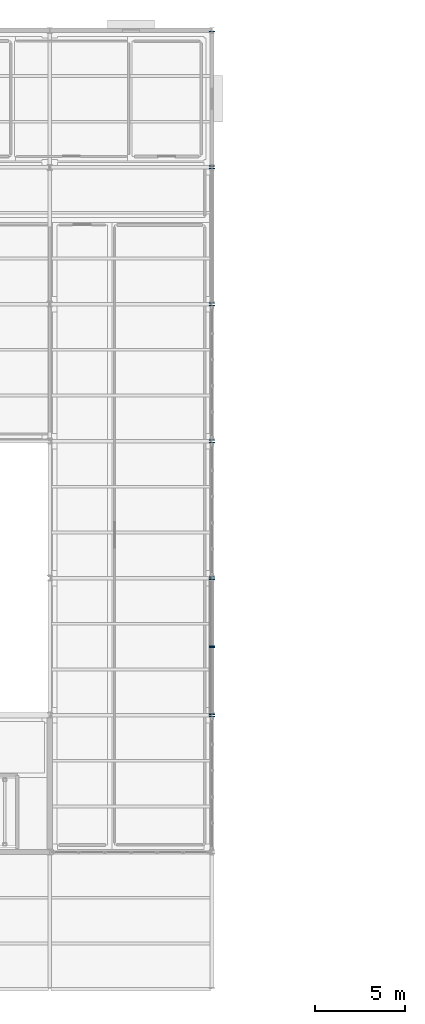
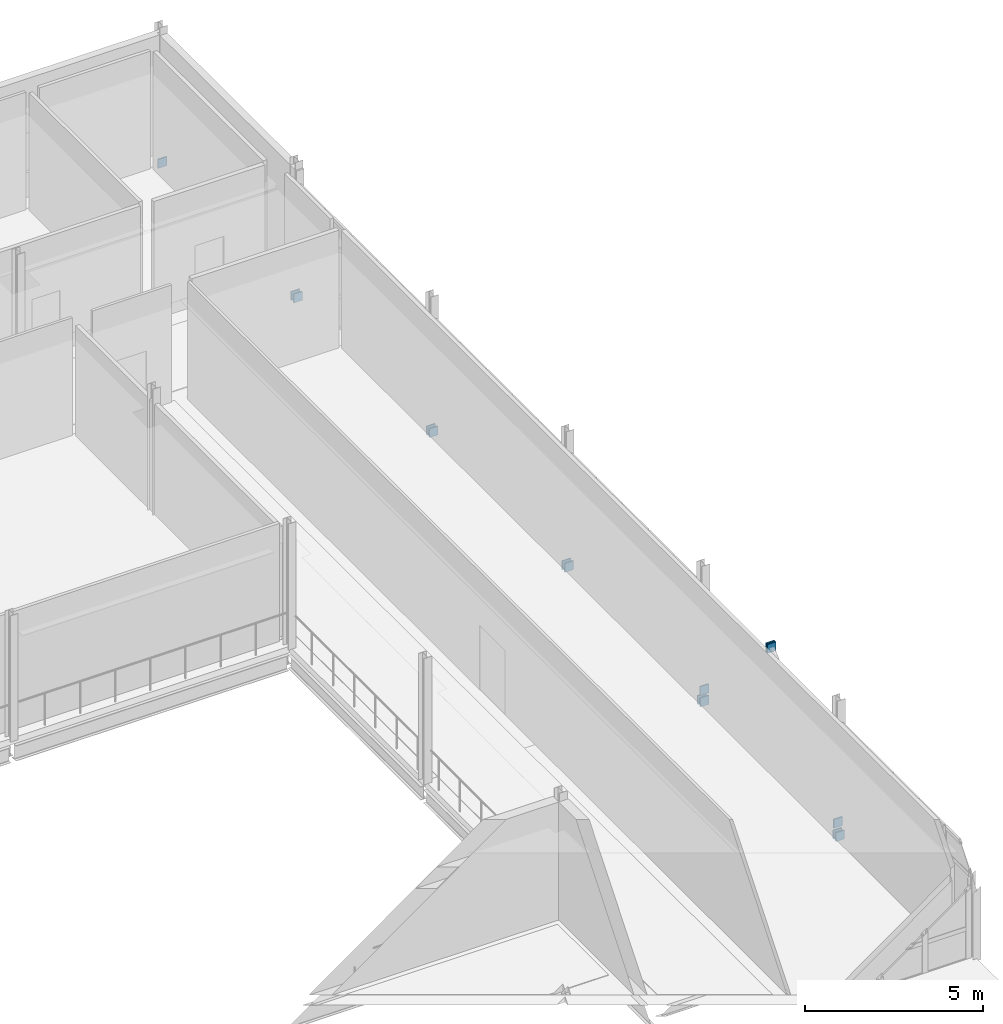
# One storey, part 84 of 96: 15 plates.
"""IFC4 building model written with IfcOpenShell, lengths in metres."""

from ifc_helpers import new_model, si_unit, direction, frame, origin, origin_2d, place, context, subcontext, project, spatial, rectangle, extrude, material, layer, layer_set, type_object, element, save


model = new_model("IFC4")

# Units and contexts
model_context = context("Model", 3, precision=1e-05, world=origin(), true_north=direction((0.0, 1.0)))
body_context = subcontext(model_context, "Body", "Model", "MODEL_VIEW")
ifc_project = project(units=[si_unit("LENGTHUNIT", "METRE"), si_unit("AREAUNIT", "SQUARE_METRE"), si_unit("VOLUMEUNIT", "CUBIC_METRE"), si_unit("PLANEANGLEUNIT", "RADIAN"), si_unit("MASSUNIT", "GRAM", prefix="KILO")], contexts=[model_context])

# Site, building, storey
site_placement = place(None, origin())
site = spatial("IfcSite", under=ifc_project, at=site_placement, CompositionType="ELEMENT")
building_placement = place(site_placement, origin())
building = spatial("IfcBuilding", under=site, at=building_placement, Name="Caisbarro Railhouse Central Library", CompositionType="ELEMENT")
storey_placement = place(building_placement, frame((0.0, 0.0, 13.679931640625)))
storey = spatial("IfcBuildingStorey", under=building, at=storey_placement, Name="L03", CompositionType="ELEMENT", Elevation=13.679931640625)

# Plates
ifc_material = material(Name="Steel ASTM A572 Grade 50", Category="steel")
ifc_layer = layer(ifc_material, 0.044921875, Name="Steel ASTM A572 Grade 50")
ifc_layer_set = layer_set([ifc_layer], Name="Steel ASTM A572 Grade 50")
plate_type = type_object("IfcPlateType", Name="PLT-EP01", PredefinedType="SHEET", material=ifc_layer_set)
for number, where, z_axis, x_axis, name in (
    (1, (153.0, 75.931884765625, -0.52001953125), (0.0, 0.0, 1.0), (0.0, 1.0, 0.0), "EP01 end cap plate"),
    (2, (153.0, 76.068115234375, -0.52001953125), (0.0, 0.0, 1.0), (0.0, 1.0, 0.0), "EP01 end cap plate"),
    (3, (153.0, 83.531982421875, -0.52001953125), (0.0, 0.0, 1.0), (0.0, 1.0, 0.0), "EP01 end cap plate"),
    (4, (153.0, 83.66796875, -0.52001953125), (0.0, 0.0, 1.0), (0.0, 1.0, 0.0), "EP01 end cap plate"),
    (5, (153.0, 91.132080078125, -0.52001953125), (0.0, 0.0, 1.0), (0.0, 1.0, 0.0), "EP01 end cap plate"),
    (6, (153.0, 91.26806640625, -0.52001953125), (0.0, 0.0, 1.0), (0.0, 1.0, 0.0), "EP01 end cap plate"),
    (7, (153.0, 98.73193359375, -0.52001953125), (0.0, 0.0, 1.0), (0.0, 1.0, 0.0), "EP01 end cap plate"),
    (8, (153.0, 98.867919921875, -0.52001953125), (0.0, 0.0, 1.0), (0.0, 1.0, 0.0), "EP01 end cap plate"),
    (9, (153.0, 106.33203125, -0.52001953125), (0.0, 0.0, 1.0), (0.0, 1.0, 0.0), "EP01 end cap plate"),
    (10, (153.0, 106.468017578125, -0.52001953125), (0.0, 0.0, 1.0), (0.0, 1.0, 0.0), "EP01 end cap plate"),
    (11, (153.0, 113.931884765625, -0.52001953125), (0.0, 0.0, 1.0), (0.0, 1.0, 0.0), "EP01 end cap plate"),
    (12, (153.0, 76.051513671875, -0.138671875), (0.0, 0.0, 1.0), (0.0, 1.0, 0.0), "EP01 end cap plate"),
    (13, (153.0, 79.7685546875, 3.5986328125), (0.0, 0.0, 1.0), (0.0, 1.0, 0.0), "EP01 end cap plate"),
    (14, (153.0, 83.548583984375, -0.138671875), (0.0, 0.0, 1.0), (0.0, -1.0, 0.0), "EP01 end cap plate"),
    (15, (153.0, 79.83154296875, 3.5986328125), (0.0, 0.0, 1.0), (0.0, -1.0, 0.0), "EP01 end cap plate"),
):
    element("IfcPlate", number, at=place(storey_placement, frame(where, z_axis=z_axis, x_axis=x_axis)), inside=storey, type_object=plate_type, Name=name, PredefinedType="SHEET", context=body_context, shape_type="SweptSolid", body=[
        extrude(rectangle(XDim=0.044921875, YDim=0.280029296875, at=origin_2d()), origin(), (0.0, 0.0, 1.0), 0.300048828125),
    ])

save(model, "model.ifc")
